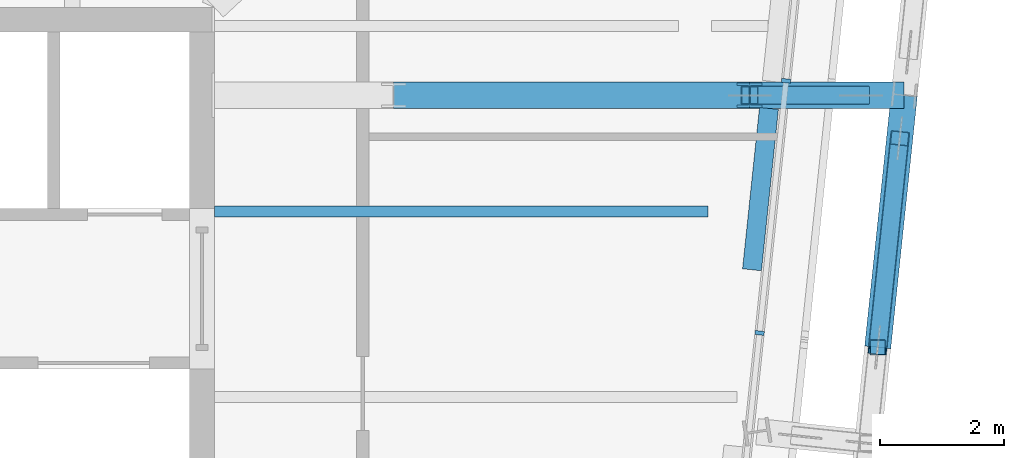
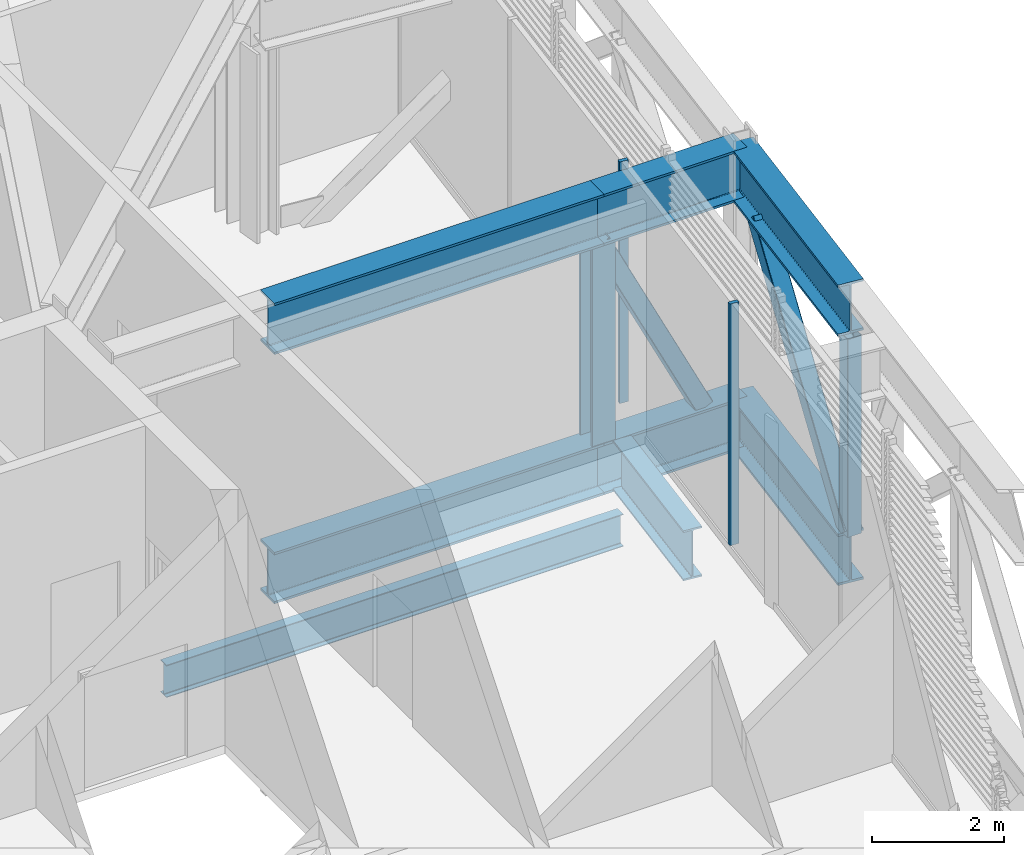
# One storey, part 12 of 36: 8 beams, 6 members, 1 element without a shape of its own.
"""IFC4 building model written with IfcOpenShell, lengths in metres."""

import ifcopenshell
import ifcopenshell.guid

model = None  # the IFC model being written
_history = None  # IfcOwnerHistory: only IFC2X3 demands one
_inside = {}  # id of a spatial element -> (the spatial element, [elements in it])
_under = {}  # id of a project, library or spatial element -> (it, [spatial elements below it])
_declared = {}  # id of a project -> (the project, [libraries it declares])
_typed = {}  # id of a type object -> (the type object, [elements of that type])
_made_of = {}  # id of a material, layer set ... -> (it, [elements and type objects made of it])


def new_model(schema):
    """Start an empty IFC model of exactly this schema.

    Asked for "IFC4X3", IfcOpenShell would pick the latest addendum, in which some entities
    have other attributes; the version numbers below select the first issue.
    IFC2X3 requires an IfcOwnerHistory on every rooted entity: one is made here for all.
    """
    global model, _history
    if schema == "IFC4X3":
        model = ifcopenshell.file(schema_version=(4, 3, 0, 0))
    else:
        model = ifcopenshell.file(schema=schema)
    _inside.clear()
    _under.clear()
    _declared.clear()
    _typed.clear()
    _made_of.clear()
    _history = None
    if model.schema == "IFC2X3":
        org = make("IfcOrganization", Name="unknown")
        user = make(
            "IfcPersonAndOrganization",
            ThePerson=make("IfcPerson", FamilyName="unknown"),
            TheOrganization=org,
        )
        app = make(
            "IfcApplication",
            ApplicationDeveloper=org,
            Version="unknown",
            ApplicationFullName="unknown",
            ApplicationIdentifier="unknown",
        )
        _history = make(
            "IfcOwnerHistory",
            OwningUser=user,
            OwningApplication=app,
            ChangeAction="ADDED",
            CreationDate=0,
        )
    return model


def make(cls, **values):
    """One entity of the class cls with the attributes given. An attribute that is None is left unset."""
    return model.create_entity(
        cls, **{name: value for name, value in values.items() if value is not None}
    )


def rooted(cls, **values):
    """An entity with a GlobalId (a new one), such as an element, a storey or a relation."""
    return make(cls, GlobalId=ifcopenshell.guid.new(), OwnerHistory=_history, **values)


def si_unit(unit_type, name, prefix=None):
    """IfcSIUnit, for example si_unit("LENGTHUNIT", "METRE", prefix="MILLI")."""
    return make("IfcSIUnit", UnitType=unit_type, Prefix=prefix, Name=name)


def assignment(units):
    """IfcUnitAssignment: the units of a project."""
    return None if units is None else make("IfcUnitAssignment", Units=units)


def point(xyz):
    """IfcCartesianPoint."""
    return None if xyz is None else make("IfcCartesianPoint", Coordinates=xyz)


def direction(xyz):
    """IfcDirection."""
    return None if xyz is None else make("IfcDirection", DirectionRatios=xyz)


def frame(location, z_axis=None, x_axis=None):
    """IfcAxis2Placement3D, a coordinate frame: its origin and axes. An axis left out is left unset."""
    return make(
        "IfcAxis2Placement3D",
        Location=point(location),
        Axis=direction(z_axis),
        RefDirection=direction(x_axis),
    )


def frame_2d(location, x_axis=None):
    """IfcAxis2Placement2D, a coordinate frame in the plane: its origin and x axis."""
    return make(
        "IfcAxis2Placement2D", Location=point(location), RefDirection=direction(x_axis)
    )


def origin():
    """The frame at (0, 0, 0) with its axes left unset."""
    return frame((0.0, 0.0, 0.0))


def origin_2d():
    """The frame at (0, 0) in the plane with its x axis left unset."""
    return frame_2d((0.0, 0.0))


def place(relative_to, where):
    """IfcLocalPlacement: puts the frame where relative to a parent placement (None: the world)."""
    return make(
        "IfcLocalPlacement", PlacementRelTo=relative_to, RelativePlacement=where
    )


def context(
    kind, dimensions, precision=None, world=None, true_north=None, identifier=None
):
    """IfcGeometricRepresentationContext, for example the 3D "Model" context."""
    return make(
        "IfcGeometricRepresentationContext",
        ContextIdentifier=identifier,
        ContextType=kind,
        CoordinateSpaceDimension=dimensions,
        Precision=precision,
        WorldCoordinateSystem=world,
        TrueNorth=true_north,
    )


def subcontext(parent, identifier, kind, view, scale=None):
    """IfcGeometricRepresentationSubContext, for example "Body" below "Model"."""
    return make(
        "IfcGeometricRepresentationSubContext",
        ContextIdentifier=identifier,
        ContextType=kind,
        ParentContext=parent,
        TargetScale=scale,
        TargetView=view,
    )


def project(units=None, contexts=None):
    """IfcProject with its units and contexts."""
    return rooted(
        "IfcProject",
        Name="project",
        RepresentationContexts=contexts,
        UnitsInContext=assignment(units),
    )


def spatial(cls, under=None, at=None, **own):
    """A site, building, storey or space (cls), placed at a placement, below another one or the project."""
    s = rooted(cls, ObjectPlacement=at, **own)
    if under is not None:
        _under.setdefault(under.id(), (under, []))[1].append(s)
    return s


def profile(cls, at=None, kind="AREA", **sizes):
    """A parametric profile (cls). Its sizes go by their IFC names, for example OverallWidth=200.0."""
    return make(cls, ProfileType=kind, Position=at, **sizes)


def rectangle(**sizes):
    """IfcRectangleProfileDef."""
    return profile("IfcRectangleProfileDef", **sizes)


def hollow_rectangle(**sizes):
    """IfcRectangleHollowProfileDef."""
    return profile("IfcRectangleHollowProfileDef", **sizes)


def i_section(**sizes):
    """IfcIShapeProfileDef."""
    return profile("IfcIShapeProfileDef", **sizes)


def extrude(swept, where, along, depth):
    """IfcExtrudedAreaSolid: the profile swept, set in the frame where, extruded along a direction by depth."""
    return make(
        "IfcExtrudedAreaSolid",
        SweptArea=swept,
        Position=where,
        ExtrudedDirection=direction(along),
        Depth=depth,
    )


def shape(context_of_items, identifier, shape_type, items):
    """IfcShapeRepresentation: the items that make up one representation, for example the "Body"."""
    return make(
        "IfcShapeRepresentation",
        ContextOfItems=context_of_items,
        RepresentationIdentifier=identifier,
        RepresentationType=shape_type,
        Items=items,
    )


def material(Name=None, Category=None):
    """IfcMaterial."""
    return make("IfcMaterial", Name=Name, Category=Category)


def layer(
    of_material, thickness, ventilated=None, Name=None, Category=None, Priority=None
):
    """IfcMaterialLayer: one layer of a wall or slab, of a material (None: an air gap)."""
    return make(
        "IfcMaterialLayer",
        Material=of_material,
        LayerThickness=thickness,
        IsVentilated=ventilated,
        Name=Name,
        Category=Category,
        Priority=Priority,
    )


def layer_set(layers, Name=None):
    """IfcMaterialLayerSet."""
    return make("IfcMaterialLayerSet", MaterialLayers=layers, LayerSetName=Name)


def material_profile(
    of_material, cross_section, Name=None, Category=None, Priority=None
):
    """IfcMaterialProfile: a cross section and its material."""
    return make(
        "IfcMaterialProfile",
        Name=Name,
        Material=of_material,
        Profile=cross_section,
        Priority=Priority,
        Category=Category,
    )


def profile_set(profiles, Name=None, composite=None):
    """IfcMaterialProfileSet."""
    return make(
        "IfcMaterialProfileSet",
        Name=Name,
        MaterialProfiles=profiles,
        CompositeProfile=composite,
    )


def made_of(thing, what):
    """Note that an element or type object is made of a material, layer set ...; save() writes the relation."""
    if what is not None:
        _made_of.setdefault(what.id(), (what, []))[1].append(thing)
    return thing


def type_object(cls, material=None, **own):
    """A type object (cls), such as IfcWallType, which elements share."""
    return made_of(rooted(cls, **own), material)


def element(
    cls,
    number,
    at=None,
    inside=None,
    cuts=None,
    type_object=None,
    material=None,
    context=None,
    identifier="Body",
    shape_type=None,
    held_by="IfcProductDefinitionShape",
    body=None,
    shapes=None,
    **own,
):
    """One element of the class cls, such as IfcWall. Its Tag is "e" and its number.

    at: its placement. inside: the storey or other place that contains it. cuts: it is an
    opening in that element (IfcRelVoidsElement). A single representation is given by context,
    identifier, shape_type and body (its items); several are given by shapes. held_by: the class
    of the entity that holds the representations. save() writes the other relations.
    """
    e = rooted(cls, Tag="e%d" % number, ObjectPlacement=at, **own)
    if body is not None:
        shapes = [shape(context, identifier, shape_type, body)]
    if shapes is not None:
        e.Representation = make(held_by, Representations=shapes)
    if inside is not None:
        _inside.setdefault(inside.id(), (inside, []))[1].append(e)
    if cuts is not None:
        rooted(
            "IfcRelVoidsElement", RelatingBuildingElement=cuts, RelatedOpeningElement=e
        )
    if type_object is not None:
        _typed.setdefault(type_object.id(), (type_object, []))[1].append(e)
    return made_of(e, material)


def aggregate(whole, parts):
    """IfcRelAggregates: a whole, such as a stair, and the parts it consists of."""
    return rooted("IfcRelAggregates", RelatingObject=whole, RelatedObjects=parts)


def save(model, path):
    """Write the relations noted so far, then the file.

    IfcRelAggregates (storeys below a building ...), IfcRelContainedInSpatialStructure (elements
    in a storey), IfcRelDefinesByType, IfcRelAssociatesMaterial and IfcRelDeclares: one each for
    every whole, place, type object, material and project.
    """
    for whole, parts in _under.values():
        aggregate(whole, parts)
    for where, things in _inside.values():
        rooted(
            "IfcRelContainedInSpatialStructure",
            RelatedElements=things,
            RelatingStructure=where,
        )
    for kind, things in _typed.values():
        rooted("IfcRelDefinesByType", RelatedObjects=things, RelatingType=kind)
    for what, things in _made_of.values():
        rooted("IfcRelAssociatesMaterial", RelatedObjects=things, RelatingMaterial=what)
    for by, libraries in _declared.values():
        rooted("IfcRelDeclares", RelatingContext=by, RelatedDefinitions=libraries)
    model.write(path)


model = new_model("IFC4")

# Units and contexts
model_context = context("Model", 3, precision=1e-05, world=origin(), true_north=direction((0.0, 1.0)))
body_context = subcontext(model_context, "Body", "Model", "MODEL_VIEW")
ifc_project = project(units=[si_unit("LENGTHUNIT", "METRE"), si_unit("AREAUNIT", "SQUARE_METRE"), si_unit("VOLUMEUNIT", "CUBIC_METRE"), si_unit("PLANEANGLEUNIT", "RADIAN"), si_unit("MASSUNIT", "GRAM", prefix="KILO")], contexts=[model_context])

# Site, building, storey
site_placement = place(None, origin())
site = spatial("IfcSite", under=ifc_project, at=site_placement, CompositionType="ELEMENT")
building_placement = place(site_placement, origin())
building = spatial("IfcBuilding", under=site, at=building_placement, Name="Millrace Tower", CompositionType="ELEMENT")
storey_placement = place(building_placement, frame((0.0, 0.0, 271.39990234375)))
storey = spatial("IfcBuildingStorey", under=building, at=storey_placement, Name="L62", CompositionType="ELEMENT", Elevation=271.39990234375)

# Curtain wall, members
ifc_material_1 = material(Name="Aluminium and glass", Category="aluminium")
ifc_layer = layer(ifc_material_1, 0.14990234375)
ifc_layer_set = layer_set([ifc_layer], Name="Aluminium and glass")
curtain_wall_type = type_object("IfcCurtainWallType", Name="CW-5 truss and plant storey louvred infill", PredefinedType="NOTDEFINED", material=ifc_layer_set)
curtain_wall_placement = place(storey_placement, origin())
curtain_wall = element("IfcCurtainWall", 1, at=curtain_wall_placement, inside=storey, type_object=curtain_wall_type, Name="Curtain wall E-F04 L62", PredefinedType="NOTDEFINED")
ifc_material_2 = material(Name="Aluminium", Category="aluminium")
ifc_material_profile_1 = material_profile(ifc_material_2, rectangle(XDim=0.06494140625, YDim=0.14990234375, at=origin_2d()))
ifc_profile_set_1 = profile_set([ifc_material_profile_1], Name="Aluminium")
member_type_1 = type_object("IfcMemberType", Name="CW-5 truss and plant storey louvred infill mullion", PredefinedType="MULLION", material=ifc_profile_set_1)
member_1_placement = place(storey_placement, frame((23.11767578125, 4.03515625, 0.14013671875), z_axis=(0.0, 0.0, 1.0), x_axis=(0.104528455196, 0.994521896217, 0.0)))
member_1 = element("IfcMember", 2, at=member_1_placement, type_object=member_type_1, Name="CW5 mullion E-F04.6", PredefinedType="MULLION", context=body_context, shape_type="SweptSolid", body=[
    extrude(rectangle(XDim=0.06494140625, YDim=0.14990234375, at=origin_2d()), origin(), (0.0, 0.0, 1.0), 4.4599609375),
])
member_2_placement = place(storey_placement, frame((23.546142578125, 8.11279296875, 0.14013671875), z_axis=(0.0, 0.0, 1.0), x_axis=(0.104528455196, 0.994521896217, 0.0)))
member_2 = element("IfcMember", 3, at=member_2_placement, type_object=member_type_1, Name="CW5 mullion E-F04.7", PredefinedType="MULLION", context=body_context, shape_type="SweptSolid", body=[
    extrude(rectangle(XDim=0.06494140625, YDim=0.14990234375, at=origin_2d()), origin(), (0.0, 0.0, 1.0), 4.4599609375),
])
aggregate(curtain_wall, [member_1, member_2])

# Beams
ifc_material_3 = material(Name="Steel ASTM A992 Grade 50", Category="steel")
ifc_material_profile_2 = material_profile(ifc_material_3, i_section(OverallWidth=0.177978515625, OverallDepth=0.599365234375, WebThickness=0.010009765625, FlangeThickness=0.012939453125, FilletRadius=0.012939453125, at=origin_2d()))
ifc_profile_set_2 = profile_set([ifc_material_profile_2], Name="Steel ASTM A992 Grade 50")
beam_type_1 = type_object("IfcBeamType", Name="Floor beam W24x55", PredefinedType="JOIST", material=ifc_profile_set_2)
beam_1_placement = place(storey_placement, frame((14.300048828125, 6.0, -0.459716796875), z_axis=(1.0, 0.0, 0.0), x_axis=(0.0, 1.0, 0.0)))
element("IfcBeam", 4, at=beam_1_placement, inside=storey, type_object=beam_type_1, Name="BM-E-L62-S1-S022", PredefinedType="JOIST", context=body_context, shape_type="SweptSolid", body=[
    extrude(i_section(OverallWidth=0.177978515625, OverallDepth=0.599365234375, WebThickness=0.010009765625, FlangeThickness=0.012939453125, FilletRadius=0.012939453125, at=origin_2d()), origin(), (0.0, 0.0, 1.0), 7.980712890625),
])
ifc_material_4 = material(Name="Steel ASTM A992 Grade 50", Category="steel")
ifc_material_profile_3 = material_profile(ifc_material_4, i_section(OverallWidth=0.307373046875, OverallDepth=0.927001953125, WebThickness=0.01953125, FlangeThickness=0.031982421875, FilletRadius=0.01904296875, at=origin_2d()))
ifc_profile_set_3 = profile_set([ifc_material_profile_3], Name="Steel ASTM A992 Grade 50")
beam_type_2 = type_object("IfcBeamType", Name="Ring beam short span W36x194", PredefinedType="SPANDREL", material=ifc_profile_set_3)
beam_2_placement = place(storey_placement, frame((23.26953125, 7.667236328125, -0.62353515625), z_axis=(-0.104558882816, -0.994518697675, 0.0), x_axis=(0.994518697675, -0.104558882816, 0.0)))
element("IfcBeam", 5, at=beam_2_placement, inside=storey, type_object=beam_type_2, Name="RNG-E-L62-S1-10-a", PredefinedType="SPANDREL", context=body_context, shape_type="SweptSolid", body=[
    extrude(i_section(OverallWidth=0.307373046875, OverallDepth=0.927001953125, WebThickness=0.01953125, FlangeThickness=0.031982421875, FilletRadius=0.01904296875, at=origin_2d()), origin(), (0.0, 0.0, 1.0), 2.62451171875),
])

# Member
ifc_material_5 = material(Name="Steel ASTM A992 Grade 50", Category="steel")
ifc_material_profile_4 = material_profile(ifc_material_5, i_section(OverallWidth=0.4013671875, OverallDepth=0.398681640625, WebThickness=0.02490234375, FlangeThickness=0.03955078125, FilletRadius=0.01513671875, at=origin_2d()))
ifc_profile_set_4 = profile_set([ifc_material_profile_4], Name="Steel ASTM A992 Grade 50")
member_type_2 = type_object("IfcMemberType", Name="Transfer truss Vierendeel moment post W14x211", PredefinedType="POST", material=ifc_profile_set_4)
member_3_placement = place(storey_placement, frame((22.957275390625, 7.879150390625, -0.159912109375), z_axis=(0.0, 0.0, 1.0), x_axis=(1.0, 0.0, 0.0)))
element("IfcMember", 6, at=member_3_placement, inside=storey, type_object=member_type_2, Name="TRS-L62-C08-V01", PredefinedType="POST", context=body_context, shape_type="SweptSolid", body=[
    extrude(i_section(OverallWidth=0.4013671875, OverallDepth=0.398681640625, WebThickness=0.02490234375, FlangeThickness=0.03955078125, FilletRadius=0.01513671875, at=origin_2d()), origin(), (0.0, 0.0, 1.0), 3.652587890625),
])

# Beams
ifc_material_6 = material(Name="Steel ASTM A992 Grade 50", Category="steel")
ifc_material_profile_5 = material_profile(ifc_material_6, i_section(OverallWidth=0.424072265625, OverallDepth=0.947509765625, WebThickness=0.02392578125, FlangeThickness=0.042724609375, FilletRadius=0.024169921875, at=origin_2d()))
ifc_profile_set_5 = profile_set([ifc_material_profile_5], Name="Steel ASTM A992 Grade 50")
beam_type_3 = type_object("IfcBeamType", Name="Transfer truss chord W36x302", PredefinedType="BEAM", material=ifc_profile_set_5)
for number, where, z_axis, x_axis, name in (
    (7, (25.02880859375, 3.8017578125, -0.633544921875), (0.104508094319, 0.99452403602, 0.0), (-0.99452403602, 0.104508094319, 0.0), "TRS-L62-R07-B03"),
    (8, (25.02880859375, 3.8017578125, 3.96630859375), (0.104508094319, 0.99452403602, 0.0), (-0.99452403602, 0.104508094319, 0.0), "TRS-L62-R07-T03"),
):
    element("IfcBeam", number, at=place(storey_placement, frame(where, z_axis=z_axis, x_axis=x_axis)), inside=storey, type_object=beam_type_3, Name=name, PredefinedType="BEAM", context=body_context, shape_type="SweptSolid", body=[
        extrude(i_section(OverallWidth=0.424072265625, OverallDepth=0.947509765625, WebThickness=0.02392578125, FlangeThickness=0.042724609375, FilletRadius=0.024169921875, at=origin_2d()), origin(), (0.0, 0.0, 1.0), 4.099853515625),
    ])
for number, where, z_axis, x_axis, name in (
    (9, (25.457275390625, 7.879150390625, -0.633544921875), (-1.0, 0.0, 0.0), (0.0, -1.0, 0.0), "TRS-L62-C08-B01"),
    (10, (25.457275390625, 7.879150390625, 3.96630859375), (-1.0, 0.0, 0.0), (0.0, -1.0, 0.0), "TRS-L62-C08-T01"),
):
    element("IfcBeam", number, at=place(storey_placement, frame(where, z_axis=z_axis, x_axis=x_axis)), inside=storey, type_object=beam_type_3, Name=name, PredefinedType="BEAM", context=body_context, shape_type="SweptSolid", body=[
        extrude(i_section(OverallWidth=0.424072265625, OverallDepth=0.947509765625, WebThickness=0.02392578125, FlangeThickness=0.042724609375, FilletRadius=0.024169921875, at=origin_2d()), origin(), (0.0, 0.0, 1.0), 2.5),
    ])
for number, where, z_axis, x_axis, name in (
    (11, (22.957275390625, 7.879150390625, -0.633544921875), (-1.0, 0.0, 0.0), (0.0, -1.0, 0.0), "TRS-L62-C08-B02"),
    (12, (22.957275390625, 7.879150390625, 3.96630859375), (-1.0, 0.0, 0.0), (0.0, -1.0, 0.0), "TRS-L62-C08-T02"),
):
    element("IfcBeam", number, at=place(storey_placement, frame(where, z_axis=z_axis, x_axis=x_axis)), inside=storey, type_object=beam_type_3, Name=name, PredefinedType="BEAM", context=body_context, shape_type="SweptSolid", body=[
        extrude(i_section(OverallWidth=0.424072265625, OverallDepth=0.947509765625, WebThickness=0.02392578125, FlangeThickness=0.042724609375, FilletRadius=0.024169921875, at=origin_2d()), origin(), (0.0, 0.0, 1.0), 5.75732421875),
    ])

# Members
ifc_material_7 = material(Name="Steel ASTM A500 Grade C", Category="steel")
ifc_material_profile_6 = material_profile(ifc_material_7, hollow_rectangle(XDim=0.3046875, YDim=0.3046875, WallThickness=0.0126953125, InnerFilletRadius=0.00634765625, OuterFilletRadius=0.01904296875, at=origin_2d()))
ifc_profile_set_6 = profile_set([ifc_material_profile_6], Name="Steel ASTM A500 Grade C")
member_type_3 = type_object("IfcMemberType", Name="Transfer truss diagonal HSS12x12x1/2", PredefinedType="BRACE", material=ifc_profile_set_6)
member_4_placement = place(storey_placement, frame((25.02880859375, 3.8017578125, -0.159912109375), z_axis=(0.071185874494, 0.677611245182, 0.731966919796), x_axis=(-0.994527072141, 0.104479197831, 0.0)))
element("IfcMember", 13, at=member_4_placement, inside=storey, type_object=member_type_3, Name="TRS-L62-R07-D03", PredefinedType="BRACE", context=body_context, shape_type="SweptSolid", body=[
    extrude(hollow_rectangle(XDim=0.3046875, YDim=0.3046875, WallThickness=0.0126953125, InnerFilletRadius=0.00634765625, OuterFilletRadius=0.01904296875, at=origin_2d()), origin(), (0.0, 0.0, 1.0), 4.989990234375),
])
member_5_placement = place(storey_placement, frame((24.75732421875, 7.879150390625, -0.159912109375), z_axis=(-0.442050013477, 0.0, 0.896990404399), x_axis=(0.0, -1.0, 0.0)))
element("IfcMember", 14, at=member_5_placement, inside=storey, type_object=member_type_3, Name="TRS-L62-C08-D01", PredefinedType="BRACE", context=body_context, shape_type="SweptSolid", body=[
    extrude(hollow_rectangle(XDim=0.3046875, YDim=0.3046875, WallThickness=0.0126953125, InnerFilletRadius=0.00634765625, OuterFilletRadius=0.01904296875, at=origin_2d()), origin(), (0.0, 0.0, 1.0), 4.072021484375),
])
ifc_material_8 = material(Name="Steel ASTM A500 Grade C", Category="steel")
ifc_material_profile_7 = material_profile(ifc_material_8, hollow_rectangle(XDim=0.25390625, YDim=0.25390625, WallThickness=0.0126953125, InnerFilletRadius=0.00634765625, OuterFilletRadius=0.01904296875, at=origin_2d()))
ifc_profile_set_7 = profile_set([ifc_material_profile_7], Name="Steel ASTM A500 Grade C")
member_type_4 = type_object("IfcMemberType", Name="Transfer truss post HSS10x10x1/2", PredefinedType="POST", material=ifc_profile_set_7)
member_6_placement = place(storey_placement, frame((25.02880859375, 3.8017578125, -0.159912109375), z_axis=(0.0, 0.0, 1.0), x_axis=(1.0, 0.0, 0.0)))
element("IfcMember", 15, at=member_6_placement, inside=storey, type_object=member_type_4, Name="TRS-L62-R07-V02", PredefinedType="POST", context=body_context, shape_type="SweptSolid", body=[
    extrude(hollow_rectangle(XDim=0.25390625, YDim=0.25390625, WallThickness=0.0126953125, InnerFilletRadius=0.00634765625, OuterFilletRadius=0.01904296875, at=origin_2d()), origin(), (0.0, 0.0, 1.0), 3.652587890625),
])

save(model, "model.ifc")
